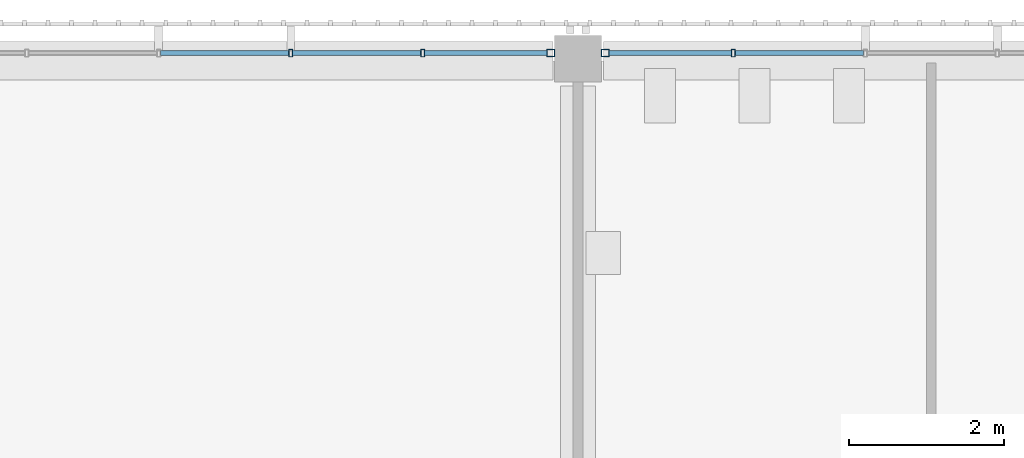
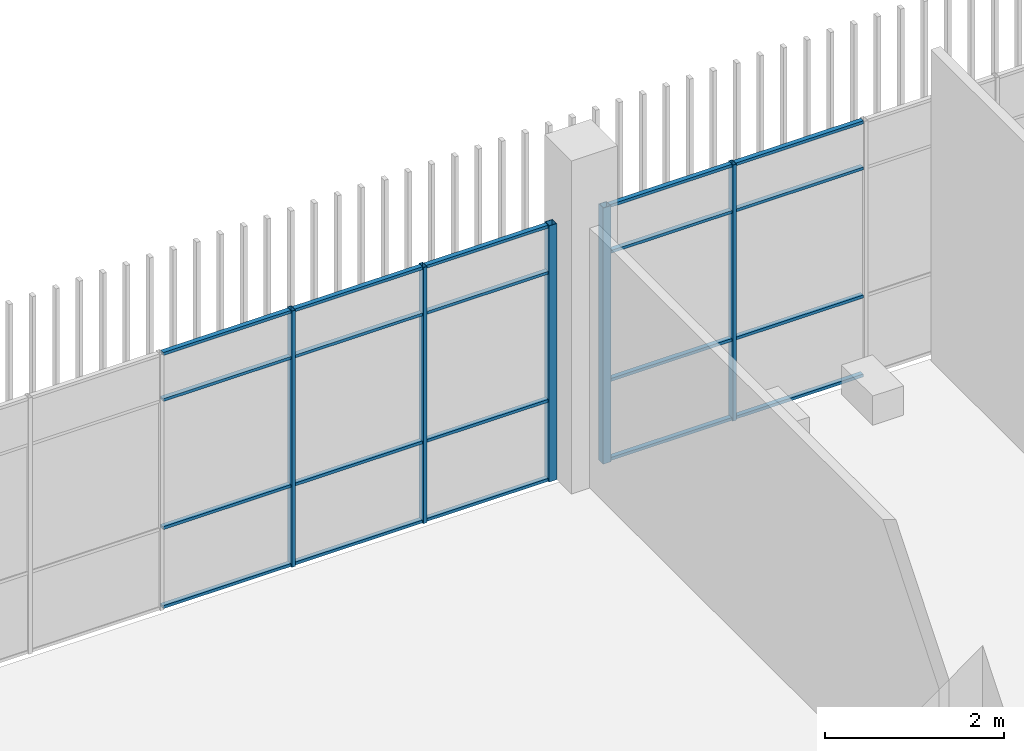
# One storey, part 42 of 126: 25 members, 2 elements without a shape of their own.
"""IFC4 building model written with IfcOpenShell, lengths in metres."""

from ifc_helpers import new_model, si_unit, direction, frame, origin, origin_2d, place, context, subcontext, project, spatial, hollow_rectangle, extrude, material, layer, layer_set, material_profile, profile_set, type_object, element, aggregate, save


model = new_model("IFC4")

# Units and contexts
model_context = context("Model", 3, precision=1e-05, world=origin(), true_north=direction((0.0, 1.0)))
body_context = subcontext(model_context, "Body", "Model", "MODEL_VIEW")
ifc_project = project(units=[si_unit("LENGTHUNIT", "METRE"), si_unit("AREAUNIT", "SQUARE_METRE"), si_unit("VOLUMEUNIT", "CUBIC_METRE"), si_unit("PLANEANGLEUNIT", "RADIAN"), si_unit("MASSUNIT", "GRAM", prefix="KILO")], contexts=[model_context])

# Site, building, storey
site_placement = place(None, origin())
site = spatial("IfcSite", under=ifc_project, at=site_placement, CompositionType="ELEMENT")
building_placement = place(site_placement, origin())
building = spatial("IfcBuilding", under=site, at=building_placement, Name="Shirokan Park Arena", CompositionType="ELEMENT")
storey_placement = place(building_placement, frame((0.0, 0.0, 6.3701171875)))
storey = spatial("IfcBuildingStorey", under=building, at=storey_placement, Name="L01", CompositionType="ELEMENT", Elevation=6.3701171875)

# Curtain wall, member
ifc_material_1 = material(Name="Steel and glass curtain wall", Category="steel")
ifc_layer = layer(ifc_material_1, 0.10009765625)
ifc_layer_set = layer_set([ifc_layer], Name="Steel and glass curtain wall 100 mm")
curtain_wall_type = type_object("IfcCurtainWallType", Name="Curtain wall sheltered bay 100", PredefinedType="NOTDEFINED", material=ifc_layer_set)
curtain_wall_1_placement = place(storey_placement, origin())
curtain_wall_1 = element("IfcCurtainWall", 1, at=curtain_wall_1_placement, inside=storey, type_object=curtain_wall_type, Name="Curtain wall north bay 5 L01", PredefinedType="NOTDEFINED")
ifc_material_2 = material(Name="Steel S355", Category="steel")
ifc_material_profile_1 = material_profile(ifc_material_2, hollow_rectangle(XDim=0.10009765625, YDim=0.10009765625, WallThickness=0.006103515625, at=origin_2d()), Name="RHS 100x100x6")
ifc_profile_set_1 = profile_set([ifc_material_profile_1], Name="Steel S355")
member_type_1 = type_object("IfcMemberType", Name="Mullion RHS 100x100x6", PredefinedType="MULLION", material=ifc_profile_set_1)
member_1_placement = place(storey_placement, frame((100.449951171875, 109.300048828125, 0.0), z_axis=(0.0, 0.0, 1.0), x_axis=(0.0, -1.0, 0.0)))
member_1 = element("IfcMember", 2, at=member_1_placement, type_object=member_type_1, Name="CW2 mullion 6", PredefinedType="MULLION", context=body_context, shape_type="SweptSolid", body=[
    extrude(hollow_rectangle(XDim=0.10009765625, YDim=0.10009765625, WallThickness=0.006103515625, at=origin_2d()), origin(), (0.0, 0.0, 1.0), 3.5),
])

curtain_wall_2_placement = place(storey_placement, origin())
curtain_wall_2 = element("IfcCurtainWall", 3, at=curtain_wall_2_placement, inside=storey, type_object=curtain_wall_type, Name="Curtain wall north bay 6 L01", PredefinedType="NOTDEFINED")
member_2_placement = place(storey_placement, frame((99.75, 109.300048828125, 0.0), z_axis=(0.0, 0.0, 1.0), x_axis=(0.0, -1.0, 0.0)))
member_2 = element("IfcMember", 4, at=member_2_placement, type_object=member_type_1, Name="CW2 mullion 1", PredefinedType="MULLION", context=body_context, shape_type="SweptSolid", body=[
    extrude(hollow_rectangle(XDim=0.10009765625, YDim=0.10009765625, WallThickness=0.006103515625, at=origin_2d()), origin(), (0.0, 0.0, 1.0), 3.5),
])

# Member
ifc_material_profile_2 = material_profile(ifc_material_2, hollow_rectangle(XDim=0.10009765625, YDim=0.050048828125, WallThickness=0.0048828125, at=origin_2d()), Name="RHS 100x50x5")
ifc_profile_set_2 = profile_set([ifc_material_profile_2], Name="Steel S355")
member_type_2 = type_object("IfcMemberType", Name="Mullion RHS 100x50x5", PredefinedType="MULLION", material=ifc_profile_set_2)
member_3_placement = place(storey_placement, frame((102.10009765625, 109.300048828125, 0.0), z_axis=(0.0, 0.0, 1.0), x_axis=(0.0, -1.0, 0.0)))
member_3 = element("IfcMember", 5, at=member_3_placement, type_object=member_type_2, Name="CW2 mullion 5", PredefinedType="MULLION", context=body_context, shape_type="SweptSolid", body=[
    extrude(hollow_rectangle(XDim=0.10009765625, YDim=0.050048828125, WallThickness=0.0048828125, at=origin_2d()), origin(), (0.0, 0.0, 1.0), 3.5),
])

member_4_placement = place(storey_placement, frame((98.10009765625, 109.300048828125, 0.0), z_axis=(0.0, 0.0, 1.0), x_axis=(0.0, -1.0, 0.0)))
member_4 = element("IfcMember", 6, at=member_4_placement, type_object=member_type_2, Name="CW2 mullion 2", PredefinedType="MULLION", context=body_context, shape_type="SweptSolid", body=[
    extrude(hollow_rectangle(XDim=0.10009765625, YDim=0.050048828125, WallThickness=0.0048828125, at=origin_2d()), origin(), (0.0, 0.0, 1.0), 3.5),
])

member_5_placement = place(storey_placement, frame((96.39990234375, 109.300048828125, 0.0), z_axis=(0.0, 0.0, 1.0), x_axis=(0.0, -1.0, 0.0)))
member_5 = element("IfcMember", 7, at=member_5_placement, type_object=member_type_2, Name="CW2 mullion 3", PredefinedType="MULLION", context=body_context, shape_type="SweptSolid", body=[
    extrude(hollow_rectangle(XDim=0.10009765625, YDim=0.050048828125, WallThickness=0.0048828125, at=origin_2d()), origin(), (0.0, 0.0, 1.0), 3.5),
])

ifc_material_profile_3 = material_profile(ifc_material_2, hollow_rectangle(XDim=0.06005859375, YDim=0.0400390625, WallThickness=0.00390625, at=origin_2d()), Name="RHS 60x40x4")
ifc_profile_set_3 = profile_set([ifc_material_profile_3], Name="Steel S355")
member_type_3 = type_object("IfcMemberType", Name="Transom RHS 60x40x4", PredefinedType="MULLION", material=ifc_profile_set_3)
member_6_placement = place(storey_placement, frame((103.77490234375, 109.300048828125, 0.019775390625), z_axis=(-1.0, 0.0, 0.0), x_axis=(0.0, -1.0, 0.0)))
member_6 = element("IfcMember", 8, at=member_6_placement, type_object=member_type_3, Name="CW2 transom 4.1", PredefinedType="MULLION", context=body_context, shape_type="SweptSolid", body=[
    extrude(hollow_rectangle(XDim=0.06005859375, YDim=0.0400390625, WallThickness=0.00390625, at=origin_2d()), origin(), (0.0, 0.0, 1.0), 1.64990234375),
])

member_7_placement = place(storey_placement, frame((103.77490234375, 109.300048828125, 1.099853515625), z_axis=(-1.0, 0.0, 0.0), x_axis=(0.0, -1.0, 0.0)))
member_7 = element("IfcMember", 9, at=member_7_placement, type_object=member_type_3, Name="CW2 transom 4.2", PredefinedType="MULLION", context=body_context, shape_type="SweptSolid", body=[
    extrude(hollow_rectangle(XDim=0.06005859375, YDim=0.0400390625, WallThickness=0.00390625, at=origin_2d()), origin(), (0.0, 0.0, 1.0), 1.64990234375),
])

member_8_placement = place(storey_placement, frame((103.77490234375, 109.300048828125, 2.849853515625), z_axis=(-1.0, 0.0, 0.0), x_axis=(0.0, -1.0, 0.0)))
member_8 = element("IfcMember", 10, at=member_8_placement, type_object=member_type_3, Name="CW2 transom 4.3", PredefinedType="MULLION", context=body_context, shape_type="SweptSolid", body=[
    extrude(hollow_rectangle(XDim=0.06005859375, YDim=0.0400390625, WallThickness=0.00390625, at=origin_2d()), origin(), (0.0, 0.0, 1.0), 1.64990234375),
])

member_9_placement = place(storey_placement, frame((103.77490234375, 109.300048828125, 3.47998046875), z_axis=(-1.0, 0.0, 0.0), x_axis=(0.0, -1.0, 0.0)))
member_9 = element("IfcMember", 11, at=member_9_placement, type_object=member_type_3, Name="CW2 transom 4.4", PredefinedType="MULLION", context=body_context, shape_type="SweptSolid", body=[
    extrude(hollow_rectangle(XDim=0.06005859375, YDim=0.0400390625, WallThickness=0.00390625, at=origin_2d()), origin(), (0.0, 0.0, 1.0), 1.64990234375),
])

member_10_placement = place(storey_placement, frame((102.074951171875, 109.300048828125, 0.019775390625), z_axis=(-1.0, 0.0, 0.0), x_axis=(0.0, -1.0, 0.0)))
member_10 = element("IfcMember", 12, at=member_10_placement, type_object=member_type_3, Name="CW2 transom 5.1", PredefinedType="MULLION", context=body_context, shape_type="SweptSolid", body=[
    extrude(hollow_rectangle(XDim=0.06005859375, YDim=0.0400390625, WallThickness=0.00390625, at=origin_2d()), origin(), (0.0, 0.0, 1.0), 1.574951171875),
])

member_11_placement = place(storey_placement, frame((102.074951171875, 109.300048828125, 1.099853515625), z_axis=(-1.0, 0.0, 0.0), x_axis=(0.0, -1.0, 0.0)))
member_11 = element("IfcMember", 13, at=member_11_placement, type_object=member_type_3, Name="CW2 transom 5.2", PredefinedType="MULLION", context=body_context, shape_type="SweptSolid", body=[
    extrude(hollow_rectangle(XDim=0.06005859375, YDim=0.0400390625, WallThickness=0.00390625, at=origin_2d()), origin(), (0.0, 0.0, 1.0), 1.574951171875),
])

member_12_placement = place(storey_placement, frame((102.074951171875, 109.300048828125, 2.849853515625), z_axis=(-1.0, 0.0, 0.0), x_axis=(0.0, -1.0, 0.0)))
member_12 = element("IfcMember", 14, at=member_12_placement, type_object=member_type_3, Name="CW2 transom 5.3", PredefinedType="MULLION", context=body_context, shape_type="SweptSolid", body=[
    extrude(hollow_rectangle(XDim=0.06005859375, YDim=0.0400390625, WallThickness=0.00390625, at=origin_2d()), origin(), (0.0, 0.0, 1.0), 1.574951171875),
])

member_13_placement = place(storey_placement, frame((102.074951171875, 109.300048828125, 3.47998046875), z_axis=(-1.0, 0.0, 0.0), x_axis=(0.0, -1.0, 0.0)))
member_13 = element("IfcMember", 15, at=member_13_placement, type_object=member_type_3, Name="CW2 transom 5.4", PredefinedType="MULLION", context=body_context, shape_type="SweptSolid", body=[
    extrude(hollow_rectangle(XDim=0.06005859375, YDim=0.0400390625, WallThickness=0.00390625, at=origin_2d()), origin(), (0.0, 0.0, 1.0), 1.574951171875),
])

aggregate(curtain_wall_1, [member_3, member_1, member_6, member_7, member_8, member_9, member_10, member_11, member_12, member_13])

member_14_placement = place(storey_placement, frame((99.699951171875, 109.300048828125, 0.019775390625), z_axis=(-1.0, 0.0, 0.0), x_axis=(0.0, -1.0, 0.0)))
member_14 = element("IfcMember", 16, at=member_14_placement, type_object=member_type_3, Name="CW2 transom 1.1", PredefinedType="MULLION", context=body_context, shape_type="SweptSolid", body=[
    extrude(hollow_rectangle(XDim=0.06005859375, YDim=0.0400390625, WallThickness=0.00390625, at=origin_2d()), origin(), (0.0, 0.0, 1.0), 1.574951171875),
])

member_15_placement = place(storey_placement, frame((99.699951171875, 109.300048828125, 1.099853515625), z_axis=(-1.0, 0.0, 0.0), x_axis=(0.0, -1.0, 0.0)))
member_15 = element("IfcMember", 17, at=member_15_placement, type_object=member_type_3, Name="CW2 transom 1.2", PredefinedType="MULLION", context=body_context, shape_type="SweptSolid", body=[
    extrude(hollow_rectangle(XDim=0.06005859375, YDim=0.0400390625, WallThickness=0.00390625, at=origin_2d()), origin(), (0.0, 0.0, 1.0), 1.574951171875),
])

member_16_placement = place(storey_placement, frame((99.699951171875, 109.300048828125, 2.849853515625), z_axis=(-1.0, 0.0, 0.0), x_axis=(0.0, -1.0, 0.0)))
member_16 = element("IfcMember", 18, at=member_16_placement, type_object=member_type_3, Name="CW2 transom 1.3", PredefinedType="MULLION", context=body_context, shape_type="SweptSolid", body=[
    extrude(hollow_rectangle(XDim=0.06005859375, YDim=0.0400390625, WallThickness=0.00390625, at=origin_2d()), origin(), (0.0, 0.0, 1.0), 1.574951171875),
])

member_17_placement = place(storey_placement, frame((99.699951171875, 109.300048828125, 3.47998046875), z_axis=(-1.0, 0.0, 0.0), x_axis=(0.0, -1.0, 0.0)))
member_17 = element("IfcMember", 19, at=member_17_placement, type_object=member_type_3, Name="CW2 transom 1.4", PredefinedType="MULLION", context=body_context, shape_type="SweptSolid", body=[
    extrude(hollow_rectangle(XDim=0.06005859375, YDim=0.0400390625, WallThickness=0.00390625, at=origin_2d()), origin(), (0.0, 0.0, 1.0), 1.574951171875),
])

member_18_placement = place(storey_placement, frame((98.074951171875, 109.300048828125, 0.019775390625), z_axis=(-1.0, 0.0, 0.0), x_axis=(0.0, -1.0, 0.0)))
member_18 = element("IfcMember", 20, at=member_18_placement, type_object=member_type_3, Name="CW2 transom 2.1", PredefinedType="MULLION", context=body_context, shape_type="SweptSolid", body=[
    extrude(hollow_rectangle(XDim=0.06005859375, YDim=0.0400390625, WallThickness=0.00390625, at=origin_2d()), origin(), (0.0, 0.0, 1.0), 1.64990234375),
])

member_19_placement = place(storey_placement, frame((98.074951171875, 109.300048828125, 1.099853515625), z_axis=(-1.0, 0.0, 0.0), x_axis=(0.0, -1.0, 0.0)))
member_19 = element("IfcMember", 21, at=member_19_placement, type_object=member_type_3, Name="CW2 transom 2.2", PredefinedType="MULLION", context=body_context, shape_type="SweptSolid", body=[
    extrude(hollow_rectangle(XDim=0.06005859375, YDim=0.0400390625, WallThickness=0.00390625, at=origin_2d()), origin(), (0.0, 0.0, 1.0), 1.64990234375),
])

member_20_placement = place(storey_placement, frame((98.074951171875, 109.300048828125, 2.849853515625), z_axis=(-1.0, 0.0, 0.0), x_axis=(0.0, -1.0, 0.0)))
member_20 = element("IfcMember", 22, at=member_20_placement, type_object=member_type_3, Name="CW2 transom 2.3", PredefinedType="MULLION", context=body_context, shape_type="SweptSolid", body=[
    extrude(hollow_rectangle(XDim=0.06005859375, YDim=0.0400390625, WallThickness=0.00390625, at=origin_2d()), origin(), (0.0, 0.0, 1.0), 1.64990234375),
])

member_21_placement = place(storey_placement, frame((98.074951171875, 109.300048828125, 3.47998046875), z_axis=(-1.0, 0.0, 0.0), x_axis=(0.0, -1.0, 0.0)))
member_21 = element("IfcMember", 23, at=member_21_placement, type_object=member_type_3, Name="CW2 transom 2.4", PredefinedType="MULLION", context=body_context, shape_type="SweptSolid", body=[
    extrude(hollow_rectangle(XDim=0.06005859375, YDim=0.0400390625, WallThickness=0.00390625, at=origin_2d()), origin(), (0.0, 0.0, 1.0), 1.64990234375),
])

member_22_placement = place(storey_placement, frame((96.375, 109.300048828125, 0.019775390625), z_axis=(-1.0, 0.0, 0.0), x_axis=(0.0, -1.0, 0.0)))
member_22 = element("IfcMember", 24, at=member_22_placement, type_object=member_type_3, Name="CW2 transom 3.1", PredefinedType="MULLION", context=body_context, shape_type="SweptSolid", body=[
    extrude(hollow_rectangle(XDim=0.06005859375, YDim=0.0400390625, WallThickness=0.00390625, at=origin_2d()), origin(), (0.0, 0.0, 1.0), 1.64990234375),
])

member_23_placement = place(storey_placement, frame((96.375, 109.300048828125, 1.099853515625), z_axis=(-1.0, 0.0, 0.0), x_axis=(0.0, -1.0, 0.0)))
member_23 = element("IfcMember", 25, at=member_23_placement, type_object=member_type_3, Name="CW2 transom 3.2", PredefinedType="MULLION", context=body_context, shape_type="SweptSolid", body=[
    extrude(hollow_rectangle(XDim=0.06005859375, YDim=0.0400390625, WallThickness=0.00390625, at=origin_2d()), origin(), (0.0, 0.0, 1.0), 1.64990234375),
])

member_24_placement = place(storey_placement, frame((96.375, 109.300048828125, 2.849853515625), z_axis=(-1.0, 0.0, 0.0), x_axis=(0.0, -1.0, 0.0)))
member_24 = element("IfcMember", 26, at=member_24_placement, type_object=member_type_3, Name="CW2 transom 3.3", PredefinedType="MULLION", context=body_context, shape_type="SweptSolid", body=[
    extrude(hollow_rectangle(XDim=0.06005859375, YDim=0.0400390625, WallThickness=0.00390625, at=origin_2d()), origin(), (0.0, 0.0, 1.0), 1.64990234375),
])

member_25_placement = place(storey_placement, frame((96.375, 109.300048828125, 3.47998046875), z_axis=(-1.0, 0.0, 0.0), x_axis=(0.0, -1.0, 0.0)))
member_25 = element("IfcMember", 27, at=member_25_placement, type_object=member_type_3, Name="CW2 transom 3.4", PredefinedType="MULLION", context=body_context, shape_type="SweptSolid", body=[
    extrude(hollow_rectangle(XDim=0.06005859375, YDim=0.0400390625, WallThickness=0.00390625, at=origin_2d()), origin(), (0.0, 0.0, 1.0), 1.64990234375),
])

aggregate(curtain_wall_2, [member_2, member_4, member_5, member_14, member_15, member_16, member_17, member_18, member_19, member_20, member_21, member_22, member_23, member_24, member_25])

save(model, "model.ifc")
